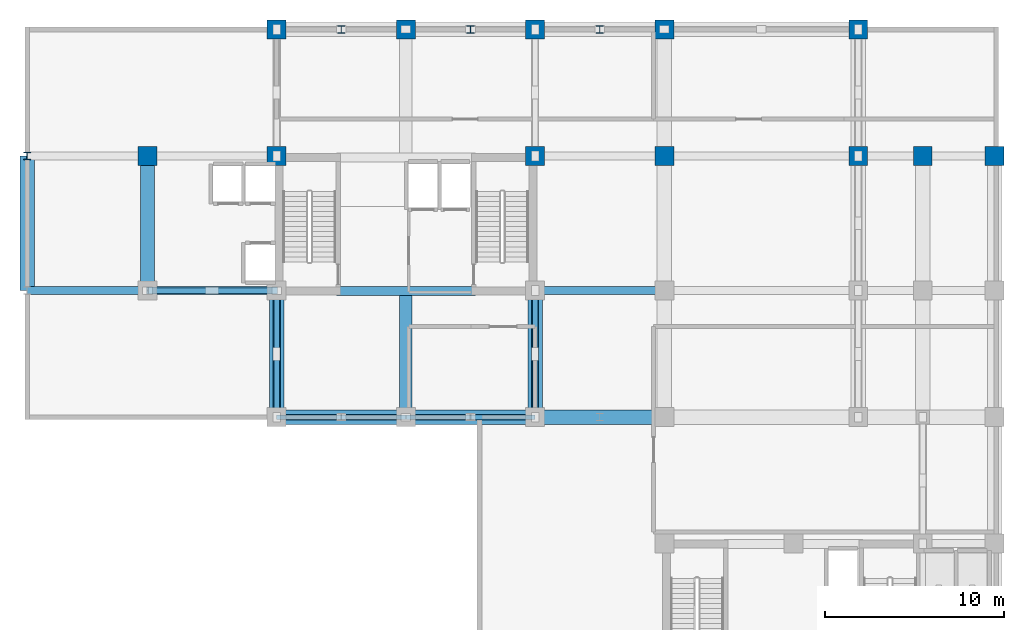
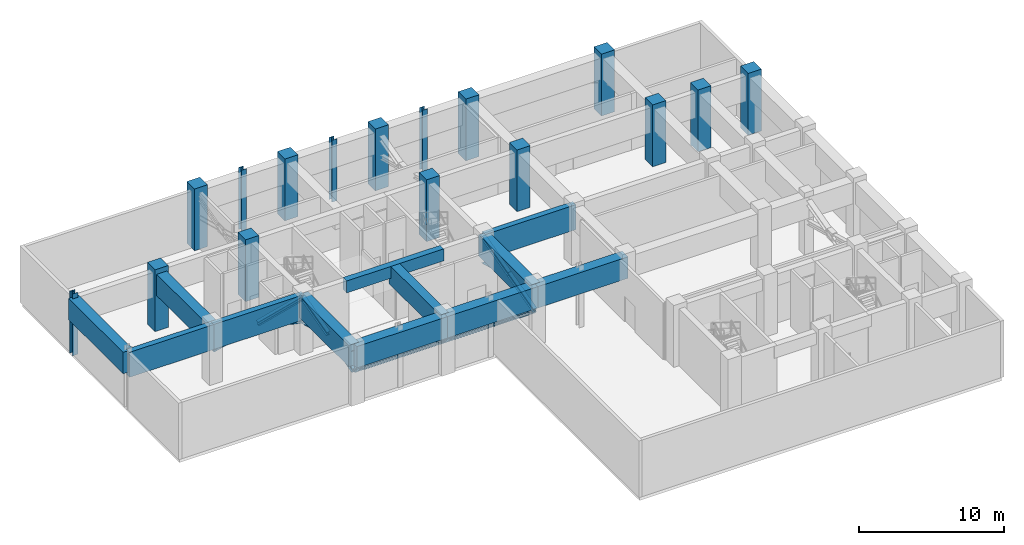
# One storey, part 2 of 10: 16 columns, 15 members, 12 beams.
"""IFC4 building model written with IfcOpenShell, lengths in metres."""

from ifc_helpers import new_model, si_unit, direction, frame, origin, origin_2d, place, context, subcontext, project, spatial, rectangle, i_section, extrude, source, transform, mapped, material, material_profile, profile_set, type_object, element, save


model = new_model("IFC4")

# Units and contexts
model_context = context("Model", 3, precision=1e-05, world=origin(), true_north=direction((0.0, 1.0)))
body_context = subcontext(model_context, "Body", "Model", "MODEL_VIEW")
ifc_project = project(units=[si_unit("LENGTHUNIT", "METRE"), si_unit("AREAUNIT", "SQUARE_METRE"), si_unit("VOLUMEUNIT", "CUBIC_METRE"), si_unit("PLANEANGLEUNIT", "RADIAN"), si_unit("MASSUNIT", "GRAM", prefix="KILO")], contexts=[model_context])

# Site, building, storey
site_placement = place(None, origin())
site = spatial("IfcSite", under=ifc_project, at=site_placement, CompositionType="ELEMENT")
building_placement = place(site_placement, origin())
building = spatial("IfcBuilding", under=site, at=building_placement, Name="Kaliganga Portal Commons", CompositionType="ELEMENT")
storey_placement = place(building_placement, frame((0.0, 0.0, 192.0)))
storey = spatial("IfcBuildingStorey", under=building, at=storey_placement, Name="L49", CompositionType="ELEMENT", Elevation=192.0)

# Columns
ifc_material_1 = material(Name="Concrete C60/75", Category="concrete")
ifc_material_profile_1 = material_profile(ifc_material_1, rectangle(XDim=1.050048828125, YDim=1.050048828125, at=origin_2d()), Name="RC 1050x1050")
ifc_profile_set_1 = profile_set([ifc_material_profile_1], Name="Concrete C60/75")
column_type_1 = type_object("IfcColumnType", Name="COL-MEGA-Z3", PredefinedType="COLUMN", material=ifc_profile_set_1)
shared_shape_1 = source(origin(), body_context, "Body", "SweptSolid", [
    extrude(rectangle(XDim=1.050048828125, YDim=1.050048828125, at=origin_2d()), origin(), (0.0, 0.0, 1.0), 5.199951171875),
])
for number, where, z_axis, x_axis, name in (
    (1, (7.199951171875, 36.14990234375, 0.0), (0.0, 0.0, 1.0), (1.0, 0.0, 0.0), "Column MC-04 L49"),
    (2, (14.39990234375, 36.14990234375, 0.0), (0.0, 0.0, 1.0), (1.0, 0.0, 0.0), "Column MC-04 L49"),
    (3, (14.39990234375, 43.199951171875, 0.0), (0.0, 0.0, 1.0), (1.0, 0.0, 0.0), "Column MC-04 L49"),
    (4, (21.60009765625, 43.199951171875, 0.0), (0.0, 0.0, 1.0), (1.0, 0.0, 0.0), "Column MC-04 L49"),
    (5, (28.800048828125, 36.14990234375, 0.0), (0.0, 0.0, 1.0), (1.0, 0.0, 0.0), "Column MC-04 L49"),
    (6, (28.800048828125, 43.199951171875, 0.0), (0.0, 0.0, 1.0), (1.0, 0.0, 0.0), "Column MC-04 L49"),
    (7, (36.0, 43.199951171875, 0.0), (0.0, 0.0, 1.0), (1.0, 0.0, 0.0), "Column MC-04 L49"),
    (8, (36.0, 36.14990234375, 0.0), (0.0, 0.0, 1.0), (1.0, 0.0, 0.0), "Column MC-04 L49"),
    (9, (46.800048828125, 36.14990234375, 0.0), (0.0, 0.0, 1.0), (1.0, 0.0, 0.0), "Column MC-04 L49"),
    (10, (46.800048828125, 43.199951171875, 0.0), (0.0, 0.0, 1.0), (1.0, 0.0, 0.0), "Column MC-04 L49"),
    (11, (50.39990234375, 36.14990234375, 0.0), (0.0, 0.0, 1.0), (1.0, 0.0, 0.0), "Column MC-04 L49"),
    (12, (54.39990234375, 36.14990234375, 0.0), (0.0, 0.0, 1.0), (1.0, 0.0, 0.0), "Column MC-04 L49"),
):
    element("IfcColumn", number, at=place(storey_placement, frame(where, z_axis=z_axis, x_axis=x_axis)), inside=storey, type_object=column_type_1, Name=name, PredefinedType="COLUMN", context=body_context, shape_type="MappedRepresentation", body=[
        mapped(shared_shape_1, transform((0.0, 0.0, 0.0), x_axis=(1.0, 0.0, 0.0), y_axis=(0.0, 1.0, 0.0), z_axis=(0.0, 0.0, 1.0), scale=1.0)),
    ])
ifc_material_2 = material(Name="Structural steel S460M", Category="steel")
ifc_material_profile_2 = material_profile(ifc_material_2, i_section(OverallWidth=0.404052734375, OverallDepth=0.4140625, WebThickness=0.0205078125, FlangeThickness=0.028076171875, FilletRadius=0.014892578125, at=origin_2d()), Name="HD 400x347")
ifc_profile_set_2 = profile_set([ifc_material_profile_2], Name="Structural steel S460M wide-flange")
column_type_2 = type_object("IfcColumnType", Name="COL-TUBE-B3", PredefinedType="COLUMN", material=ifc_profile_set_2)
shared_shape_2 = source(origin(), body_context, "Body", "SweptSolid", [
    extrude(i_section(OverallWidth=0.404052734375, OverallDepth=0.4140625, WebThickness=0.0205078125, FlangeThickness=0.028076171875, FilletRadius=0.014892578125, at=origin_2d()), origin(), (0.0, 0.0, 1.0), 5.199951171875),
])
for number, where, z_axis, x_axis, name in (
    (13, (0.5, 36.14990234375, 0.0), (0.0, 0.0, 1.0), (1.0, 0.0, 0.0), "Column TC-03 L49"),
    (14, (18.0, 43.199951171875, 0.0), (0.0, 0.0, 1.0), (1.0, 0.0, 0.0), "Column TC-03 L49"),
    (15, (25.199951171875, 43.199951171875, 0.0), (0.0, 0.0, 1.0), (1.0, 0.0, 0.0), "Column TC-03 L49"),
    (16, (32.39990234375, 43.199951171875, 0.0), (0.0, 0.0, 1.0), (1.0, 0.0, 0.0), "Column TC-03 L49"),
):
    element("IfcColumn", number, at=place(storey_placement, frame(where, z_axis=z_axis, x_axis=x_axis)), inside=storey, type_object=column_type_2, Name=name, PredefinedType="COLUMN", context=body_context, shape_type="MappedRepresentation", body=[
        mapped(shared_shape_2, transform((0.0, 0.0, 0.0), x_axis=(1.0, 0.0, 0.0), y_axis=(0.0, 1.0, 0.0), z_axis=(0.0, 0.0, 1.0), scale=1.0)),
    ])

# Beams
ifc_material_3 = material(Name="Concrete C50/60", Category="concrete")
ifc_material_profile_3 = material_profile(ifc_material_3, rectangle(XDim=0.5, YDim=1.0, at=origin_2d()), Name="RC 500x1000")
ifc_profile_set_3 = profile_set([ifc_material_profile_3], Name="Concrete C50/60")
beam_type_1 = type_object("IfcBeamType", Name="BM-CPL-1000", PredefinedType="LINTEL", material=ifc_profile_set_3)
shared_shape_3 = source(origin(), body_context, "Body", "SweptSolid", [
    extrude(rectangle(XDim=0.5, YDim=1.0, at=origin_2d()), origin(), (0.0, 0.0, 1.0), 7.739990234375),
])
beam_1_placement = place(storey_placement, frame((17.72998046875, 28.625, 4.280029296875), z_axis=(1.0, 0.0, 0.0), x_axis=(0.0, 1.0, 0.0)))
element("IfcBeam", 17, at=beam_1_placement, inside=storey, type_object=beam_type_1, Name="BM CPL COREA L49 S", PredefinedType="LINTEL", context=body_context, shape_type="MappedRepresentation", body=[
    mapped(shared_shape_3, transform((0.0, 0.0, 0.0), x_axis=(1.0, 0.0, 0.0), y_axis=(0.0, 1.0, 0.0), z_axis=(0.0, 0.0, 1.0), scale=1.0)),
])
ifc_material_4 = material(Name="Concrete C70/85", Category="concrete")
ifc_material_profile_4 = material_profile(ifc_material_4, rectangle(XDim=0.800048828125, YDim=1.800048828125, at=origin_2d()), Name="RC 800x1800")
ifc_profile_set_4 = profile_set([ifc_material_profile_4], Name="Concrete C70/85")
beam_type_2 = type_object("IfcBeamType", Name="BM-XFER-1800", PredefinedType="T_BEAM", material=ifc_profile_set_4)
shared_shape_4 = source(origin(), body_context, "Body", "SweptSolid", [
    extrude(rectangle(XDim=0.800048828125, YDim=1.800048828125, at=origin_2d()), origin(), (0.0, 0.0, 1.0), 7.2001953125),
])
beam_2_placement = place(storey_placement, frame((14.39990234375, 21.60009765625, 3.8798828125), z_axis=(1.0, 0.0, 0.0), x_axis=(0.0, 1.0, 0.0)))
element("IfcBeam", 18, at=beam_2_placement, inside=storey, type_object=beam_type_2, Name="Transfer Girder BM XFER L49 ASW 1", PredefinedType="T_BEAM", context=body_context, shape_type="MappedRepresentation", body=[
    mapped(shared_shape_4, transform((0.0, 0.0, 0.0), x_axis=(1.0, 0.0, 0.0), y_axis=(0.0, 1.0, 0.0), z_axis=(0.0, 0.0, 1.0), scale=1.0)),
])
shared_shape_5 = source(origin(), body_context, "Body", "SweptSolid", [
    extrude(rectangle(XDim=0.800048828125, YDim=1.800048828125, at=origin_2d()), origin(), (0.0, 0.0, 1.0), 7.199951171875),
])
for number, where, z_axis, x_axis, name in (
    (19, (21.60009765625, 21.60009765625, 3.8798828125), (1.0, 0.0, 0.0), (0.0, 1.0, 0.0), "Transfer Girder BM XFER L49 ASW 2"),
    (20, (28.800048828125, 21.60009765625, 3.8798828125), (1.0, 0.0, 0.0), (0.0, 1.0, 0.0), "Transfer Girder BM XFER L49 ASW 3"),
):
    element("IfcBeam", number, at=place(storey_placement, frame(where, z_axis=z_axis, x_axis=x_axis)), inside=storey, type_object=beam_type_2, Name=name, PredefinedType="T_BEAM", context=body_context, shape_type="MappedRepresentation", body=[
        mapped(shared_shape_5, transform((0.0, 0.0, 0.0), x_axis=(1.0, 0.0, 0.0), y_axis=(0.0, 1.0, 0.0), z_axis=(0.0, 0.0, 1.0), scale=1.0)),
    ])
ifc_material_profile_5 = material_profile(ifc_material_4, rectangle(XDim=0.43994140625, YDim=2.10009765625, at=origin_2d()), Name="RC 440x2100")
ifc_profile_set_5 = profile_set([ifc_material_profile_5], Name="Concrete C70/85")
beam_type_3 = type_object("IfcBeamType", Name="BM-XFER-SLIM", PredefinedType="T_BEAM", material=ifc_profile_set_5)
shared_shape_6 = source(origin(), body_context, "Body", "SweptSolid", [
    extrude(rectangle(XDim=0.43994140625, YDim=2.10009765625, at=origin_2d()), origin(), (0.0, 0.0, 1.0), 7.199951171875),
])
for number, where, z_axis, x_axis, name in (
    (21, (7.199951171875, 28.64990234375, 3.72998046875), (1.0, 0.0, 0.0), (0.0, 1.0, 0.0), "Transfer Girder BM XFER L49 WW1 2"),
    (22, (28.800048828125, 28.64990234375, 3.72998046875), (1.0, 0.0, 0.0), (0.0, 1.0, 0.0), "Transfer Girder BM XFER L49 WE1 1"),
):
    element("IfcBeam", number, at=place(storey_placement, frame(where, z_axis=z_axis, x_axis=x_axis)), inside=storey, type_object=beam_type_3, Name=name, PredefinedType="T_BEAM", context=body_context, shape_type="MappedRepresentation", body=[
        mapped(shared_shape_6, transform((0.0, 0.0, 0.0), x_axis=(1.0, 0.0, 0.0), y_axis=(0.0, 1.0, 0.0), z_axis=(0.0, 0.0, 1.0), scale=1.0)),
    ])
ifc_material_profile_6 = material_profile(ifc_material_1, rectangle(XDim=0.699951171875, YDim=1.60009765625, at=origin_2d()), Name="RC 700x1600")
ifc_profile_set_6 = profile_set([ifc_material_profile_6], Name="Concrete C60/75")
beam_type_4 = type_object("IfcBeamType", Name="BM-XFER-1600", PredefinedType="T_BEAM", material=ifc_profile_set_6)
shared_shape_7 = source(origin(), body_context, "Body", "SweptSolid", [
    extrude(rectangle(XDim=0.699951171875, YDim=1.60009765625, at=origin_2d()), origin(), (0.0, 0.0, 1.0), 7.02490234375),
])
beam_3_placement = place(storey_placement, frame((21.60009765625, 21.60009765625, 3.97998046875), z_axis=(0.0, 1.0, 0.0), x_axis=(-1.0, 0.0, 0.0)))
element("IfcBeam", 23, at=beam_3_placement, inside=storey, type_object=beam_type_4, Name="Transfer Girder BM XFER L49 CAS216", PredefinedType="T_BEAM", context=body_context, shape_type="MappedRepresentation", body=[
    mapped(shared_shape_7, transform((0.0, 0.0, 0.0), x_axis=(1.0, 0.0, 0.0), y_axis=(0.0, 1.0, 0.0), z_axis=(0.0, 0.0, 1.0), scale=1.0)),
])
shared_shape_8 = source(origin(), body_context, "Body", "SweptSolid", [
    extrude(rectangle(XDim=0.800048828125, YDim=1.800048828125, at=origin_2d()), origin(), (0.0, 0.0, 1.0), 7.5),
])
for number, where, z_axis, x_axis, name in (
    (24, (7.199951171875, 28.64990234375, 3.8798828125), (0.0, 1.0, 0.0), (-1.0, 0.0, 0.0), "Transfer Girder BM XFER L49 NS72 1"),
    (25, (0.5, 28.64990234375, 3.8798828125), (0.0, 1.0, 0.0), (-1.0, 0.0, 0.0), "Transfer Girder BM XFER L49 NS5 1"),
):
    element("IfcBeam", number, at=place(storey_placement, frame(where, z_axis=z_axis, x_axis=x_axis)), inside=storey, type_object=beam_type_2, Name=name, PredefinedType="T_BEAM", context=body_context, shape_type="MappedRepresentation", body=[
        mapped(shared_shape_8, transform((0.0, 0.0, 0.0), x_axis=(1.0, 0.0, 0.0), y_axis=(0.0, 1.0, 0.0), z_axis=(0.0, 0.0, 1.0), scale=1.0)),
    ])
shared_shape_9 = source(origin(), body_context, "Body", "SweptSolid", [
    extrude(rectangle(XDim=0.800048828125, YDim=1.800048828125, at=origin_2d()), origin(), (0.0, 0.0, 1.0), 7.0498046875),
])
for number, where, z_axis, x_axis, name in (
    (26, (14.39990234375, 21.60009765625, 3.8798828125), (0.0, 1.0, 0.0), (-1.0, 0.0, 0.0), "Transfer Girder BM XFER L49 NS144 1"),
    (27, (28.800048828125, 21.60009765625, 3.8798828125), (0.0, 1.0, 0.0), (-1.0, 0.0, 0.0), "Transfer Girder BM XFER L49 NS288 1"),
):
    element("IfcBeam", number, at=place(storey_placement, frame(where, z_axis=z_axis, x_axis=x_axis)), inside=storey, type_object=beam_type_2, Name=name, PredefinedType="T_BEAM", context=body_context, shape_type="MappedRepresentation", body=[
        mapped(shared_shape_9, transform((0.0, 0.0, 0.0), x_axis=(1.0, 0.0, 0.0), y_axis=(0.0, 1.0, 0.0), z_axis=(0.0, 0.0, 1.0), scale=1.0)),
    ])

# Members
ifc_material_profile_7 = material_profile(ifc_material_2, i_section(OverallWidth=0.300048828125, OverallDepth=0.360107421875, WebThickness=0.012451171875, FlangeThickness=0.0224609375, FilletRadius=0.027099609375, at=origin_2d()), Name="HE 360 B")
ifc_profile_set_7 = profile_set([ifc_material_profile_7], Name="Structural steel S460M wide-flange")
member_type_1 = type_object("IfcMemberType", Name="MBR-BELT-360", PredefinedType="BRACE", material=ifc_profile_set_7)
shared_shape_10 = source(origin(), body_context, "Body", "SweptSolid", [
    extrude(i_section(OverallWidth=0.300048828125, OverallDepth=0.360107421875, WebThickness=0.012451171875, FlangeThickness=0.0224609375, FilletRadius=0.027099609375, at=origin_2d()), origin(), (0.0, 0.0, 1.0), 3.720703125),
])
member_1_placement = place(storey_placement, frame((10.800048828125, 28.64990234375, 3.489990234375), z_axis=(-0.967565688903, 0.0, -0.252619551219), x_axis=(0.0, -1.0, 0.0)))
element("IfcMember", 28, at=member_1_placement, inside=storey, type_object=member_type_1, Name="Outrigger Split Counter-Diagonal OT-L49-01B2", PredefinedType="BRACE", context=body_context, shape_type="MappedRepresentation", body=[
    mapped(shared_shape_10, transform((0.0, 0.0, 0.0), x_axis=(1.0, 0.0, 0.0), y_axis=(0.0, 1.0, 0.0), z_axis=(0.0, 0.0, 1.0), scale=1.0)),
])
shared_shape_11 = source(origin(), body_context, "Body", "SweptSolid", [
    extrude(i_section(OverallWidth=0.300048828125, OverallDepth=0.360107421875, WebThickness=0.012451171875, FlangeThickness=0.0224609375, FilletRadius=0.027099609375, at=origin_2d()), origin(), (0.0, 0.0, 1.0), 3.648193359375),
])
for number, where, z_axis, x_axis, name in (
    (29, (14.39990234375, 28.64990234375, 4.429931640625), (0.0, -0.966237161082, -0.257654319862), (1.0, 0.0, 0.0), "Outrigger Split Counter-Diagonal OT-L49-02B1"),
    (30, (14.39990234375, 25.125, 3.489990234375), (0.0, -0.966237161082, -0.257654319862), (1.0, 0.0, 0.0), "Outrigger Split Counter-Diagonal OT-L49-02B2"),
    (31, (28.800048828125, 28.64990234375, 4.429931640625), (0.0, -0.966237161082, -0.257654319862), (1.0, 0.0, 0.0), "Outrigger Split Counter-Diagonal OT-L49-03B1"),
    (32, (28.800048828125, 25.125, 3.489990234375), (0.0, -0.966237161082, -0.257654319862), (1.0, 0.0, 0.0), "Outrigger Split Counter-Diagonal OT-L49-03B2"),
):
    element("IfcMember", number, at=place(storey_placement, frame(where, z_axis=z_axis, x_axis=x_axis)), inside=storey, type_object=member_type_1, Name=name, PredefinedType="BRACE", context=body_context, shape_type="MappedRepresentation", body=[
        mapped(shared_shape_11, transform((0.0, 0.0, 0.0), x_axis=(1.0, 0.0, 0.0), y_axis=(0.0, 1.0, 0.0), z_axis=(0.0, 0.0, 1.0), scale=1.0)),
    ])
ifc_material_profile_8 = material_profile(ifc_material_2, i_section(OverallWidth=0.300048828125, OverallDepth=0.300048828125, WebThickness=0.010986328125, FlangeThickness=0.01904296875, FilletRadius=0.027099609375, at=origin_2d()), Name="HE 300 B")
ifc_profile_set_8 = profile_set([ifc_material_profile_8], Name="Structural steel S460M wide-flange")
member_type_2 = type_object("IfcMemberType", Name="MBR-BELT-300", PredefinedType="BRACE", material=ifc_profile_set_8)
shared_shape_12 = source(origin(), body_context, "Body", "SweptSolid", [
    extrude(i_section(OverallWidth=0.300048828125, OverallDepth=0.300048828125, WebThickness=0.010986328125, FlangeThickness=0.01904296875, FilletRadius=0.027099609375, at=origin_2d()), origin(), (0.0, 0.0, 1.0), 4.061279296875),
])
for number, where, z_axis, x_axis, name in (
    (33, (14.39990234375, 21.60009765625, 2.550048828125), (0.886426160046, 0.0, 0.462870027964), (0.0, 1.0, 0.0), "Belt Truss Diagonal BT-L49-05L"),
    (34, (21.60009765625, 21.60009765625, 2.550048828125), (-0.886426160046, 0.0, 0.462870027964), (0.0, -1.0, 0.0), "Belt Truss Diagonal BT-L49-05R"),
    (35, (28.800048828125, 21.60009765625, 2.550048828125), (-0.886426160046, 0.0, 0.462870027964), (0.0, -1.0, 0.0), "Belt Truss Diagonal BT-L49-06R"),
):
    element("IfcMember", number, at=place(storey_placement, frame(where, z_axis=z_axis, x_axis=x_axis)), inside=storey, type_object=member_type_2, Name=name, PredefinedType="BRACE", context=body_context, shape_type="MappedRepresentation", body=[
        mapped(shared_shape_12, transform((0.0, 0.0, 0.0), x_axis=(1.0, 0.0, 0.0), y_axis=(0.0, 1.0, 0.0), z_axis=(0.0, 0.0, 1.0), scale=1.0)),
    ])
ifc_material_profile_9 = material_profile(ifc_material_2, i_section(OverallWidth=0.40087890625, OverallDepth=0.406005859375, WebThickness=0.018798828125, FlangeThickness=0.025390625, FilletRadius=0.014892578125, at=origin_2d()), Name="HD 400x314")
ifc_profile_set_9 = profile_set([ifc_material_profile_9], Name="Structural steel S460M wide-flange")
member_type_3 = type_object("IfcMemberType", Name="MBR-OUTRIG-382", PredefinedType="USERDEFINED", material=ifc_profile_set_9)
shared_shape_13 = source(origin(), body_context, "Body", "SweptSolid", [
    extrude(i_section(OverallWidth=0.40087890625, OverallDepth=0.406005859375, WebThickness=0.018798828125, FlangeThickness=0.025390625, FilletRadius=0.014892578125, at=origin_2d()), origin(), (0.0, 0.0, 1.0), 7.44140625),
])
member_2_placement = place(storey_placement, frame((14.39990234375, 28.64990234375, 2.550048828125), z_axis=(-0.967563595124, 0.0, 0.252627570528), x_axis=(0.0, -1.0, 0.0)))
element("IfcMember", 36, at=member_2_placement, inside=storey, type_object=member_type_3, Name="Outrigger Strut OT-L49-01A", ObjectType="OUTRIGGER", PredefinedType="USERDEFINED", context=body_context, shape_type="MappedRepresentation", body=[
    mapped(shared_shape_13, transform((0.0, 0.0, 0.0), x_axis=(1.0, 0.0, 0.0), y_axis=(0.0, 1.0, 0.0), z_axis=(0.0, 0.0, 1.0), scale=1.0)),
])
shared_shape_14 = source(origin(), body_context, "Body", "SweptSolid", [
    extrude(i_section(OverallWidth=0.40087890625, OverallDepth=0.406005859375, WebThickness=0.018798828125, FlangeThickness=0.025390625, FilletRadius=0.014892578125, at=origin_2d()), origin(), (0.0, 0.0, 1.0), 7.296142578125),
])
for number, where, z_axis, x_axis, name in (
    (37, (14.39990234375, 28.64990234375, 2.550048828125), (0.0, -0.966237161082, 0.257654319862), (1.0, 0.0, 0.0), "Outrigger Strut OT-L49-02A"),
    (38, (28.800048828125, 28.64990234375, 2.550048828125), (0.0, -0.966237161082, 0.257654319862), (1.0, 0.0, 0.0), "Outrigger Strut OT-L49-03A"),
):
    element("IfcMember", number, at=place(storey_placement, frame(where, z_axis=z_axis, x_axis=x_axis)), inside=storey, type_object=member_type_3, Name=name, ObjectType="OUTRIGGER", PredefinedType="USERDEFINED", context=body_context, shape_type="MappedRepresentation", body=[
        mapped(shared_shape_14, transform((0.0, 0.0, 0.0), x_axis=(1.0, 0.0, 0.0), y_axis=(0.0, 1.0, 0.0), z_axis=(0.0, 0.0, 1.0), scale=1.0)),
    ])
ifc_material_profile_10 = material_profile(ifc_material_2, i_section(OverallWidth=0.260009765625, OverallDepth=0.25, WebThickness=0.007568359375, FlangeThickness=0.012451171875, FilletRadius=0.02392578125, at=origin_2d()), Name="HE 260 A")
ifc_profile_set_10 = profile_set([ifc_material_profile_10], Name="Structural steel S460M wide-flange")
member_type_4 = type_object("IfcMemberType", Name="MBR-CHORD-260A", PredefinedType="CHORD", material=ifc_profile_set_10)
shared_shape_15 = source(origin(), body_context, "Body", "SweptSolid", [
    extrude(i_section(OverallWidth=0.260009765625, OverallDepth=0.25, WebThickness=0.007568359375, FlangeThickness=0.012451171875, FilletRadius=0.02392578125, at=origin_2d()), origin(), (0.0, 0.0, 1.0), 7.2001953125),
])
member_3_placement = place(storey_placement, frame((14.39990234375, 21.60009765625, 2.550048828125), z_axis=(1.0, 0.0, 0.0), x_axis=(0.0, 1.0, 0.0)))
element("IfcMember", 39, at=member_3_placement, inside=storey, type_object=member_type_4, Name="Belt Truss Bottom Chord CHD-L49-05", PredefinedType="CHORD", context=body_context, shape_type="MappedRepresentation", body=[
    mapped(shared_shape_15, transform((0.0, 0.0, 0.0), x_axis=(1.0, 0.0, 0.0), y_axis=(0.0, 1.0, 0.0), z_axis=(0.0, 0.0, 1.0), scale=1.0)),
])
shared_shape_16 = source(origin(), body_context, "Body", "SweptSolid", [
    extrude(i_section(OverallWidth=0.260009765625, OverallDepth=0.25, WebThickness=0.007568359375, FlangeThickness=0.012451171875, FilletRadius=0.02392578125, at=origin_2d()), origin(), (0.0, 0.0, 1.0), 7.199951171875),
])
member_4_placement = place(storey_placement, frame((21.60009765625, 21.60009765625, 2.550048828125), z_axis=(1.0, 0.0, 0.0), x_axis=(0.0, 1.0, 0.0)))
element("IfcMember", 40, at=member_4_placement, inside=storey, type_object=member_type_4, Name="Belt Truss Bottom Chord CHD-L49-06", PredefinedType="CHORD", context=body_context, shape_type="MappedRepresentation", body=[
    mapped(shared_shape_16, transform((0.0, 0.0, 0.0), x_axis=(1.0, 0.0, 0.0), y_axis=(0.0, 1.0, 0.0), z_axis=(0.0, 0.0, 1.0), scale=1.0)),
])

# Beam
shared_shape_17 = source(origin(), body_context, "Body", "SweptSolid", [
    extrude(rectangle(XDim=0.43994140625, YDim=2.10009765625, at=origin_2d()), origin(), (0.0, 0.0, 1.0), 6.699951171875),
])
beam_4_placement = place(storey_placement, frame((0.5, 28.64990234375, 3.72998046875), z_axis=(1.0, 0.0, 0.0), x_axis=(0.0, 1.0, 0.0)))
element("IfcBeam", 41, at=beam_4_placement, inside=storey, type_object=beam_type_3, Name="Transfer Girder BM XFER L49 WW1 1", PredefinedType="T_BEAM", context=body_context, shape_type="MappedRepresentation", body=[
    mapped(shared_shape_17, transform((0.0, 0.0, 0.0), x_axis=(1.0, 0.0, 0.0), y_axis=(0.0, 1.0, 0.0), z_axis=(0.0, 0.0, 1.0), scale=1.0)),
])

# Members
shared_shape_18 = source(origin(), body_context, "Body", "SweptSolid", [
    extrude(i_section(OverallWidth=0.300048828125, OverallDepth=0.360107421875, WebThickness=0.012451171875, FlangeThickness=0.0224609375, FilletRadius=0.027099609375, at=origin_2d()), origin(), (0.0, 0.0, 1.0), 3.720458984375),
])
member_5_placement = place(storey_placement, frame((14.39990234375, 28.64990234375, 4.429931640625), z_axis=(-0.967561501145, 0.0, -0.25263559033), x_axis=(0.0, -1.0, 0.0)))
element("IfcMember", 42, at=member_5_placement, inside=storey, type_object=member_type_1, Name="Outrigger Split Counter-Diagonal OT-L49-01B1", PredefinedType="BRACE", context=body_context, shape_type="MappedRepresentation", body=[
    mapped(shared_shape_18, transform((0.0, 0.0, 0.0), x_axis=(1.0, 0.0, 0.0), y_axis=(0.0, 1.0, 0.0), z_axis=(0.0, 0.0, 1.0), scale=1.0)),
])
shared_shape_19 = source(origin(), body_context, "Body", "SweptSolid", [
    extrude(i_section(OverallWidth=0.300048828125, OverallDepth=0.300048828125, WebThickness=0.010986328125, FlangeThickness=0.01904296875, FilletRadius=0.027099609375, at=origin_2d()), origin(), (0.0, 0.0, 1.0), 4.06103515625),
])
member_6_placement = place(storey_placement, frame((21.60009765625, 21.60009765625, 2.550048828125), z_axis=(0.886413279888, 0.0, 0.462894693465), x_axis=(0.0, 1.0, 0.0)))
element("IfcMember", 43, at=member_6_placement, inside=storey, type_object=member_type_2, Name="Belt Truss Diagonal BT-L49-06L", PredefinedType="BRACE", context=body_context, shape_type="MappedRepresentation", body=[
    mapped(shared_shape_19, transform((0.0, 0.0, 0.0), x_axis=(1.0, 0.0, 0.0), y_axis=(0.0, 1.0, 0.0), z_axis=(0.0, 0.0, 1.0), scale=1.0)),
])

save(model, "model.ifc")
